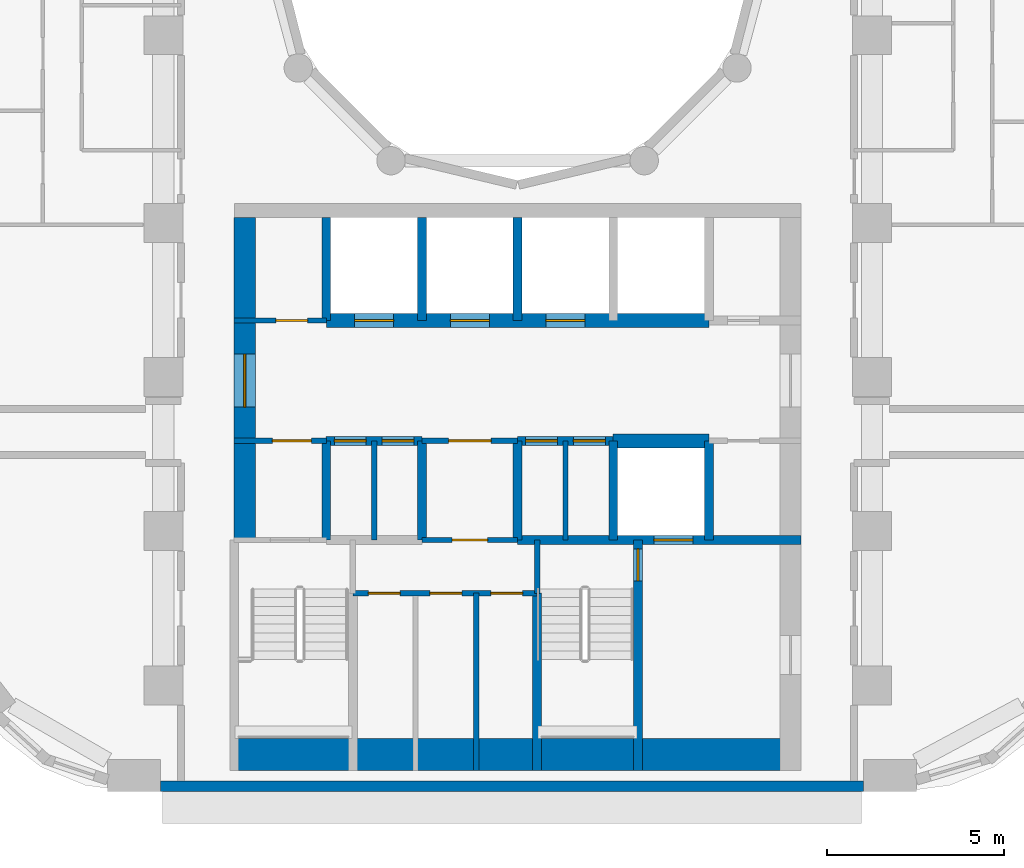
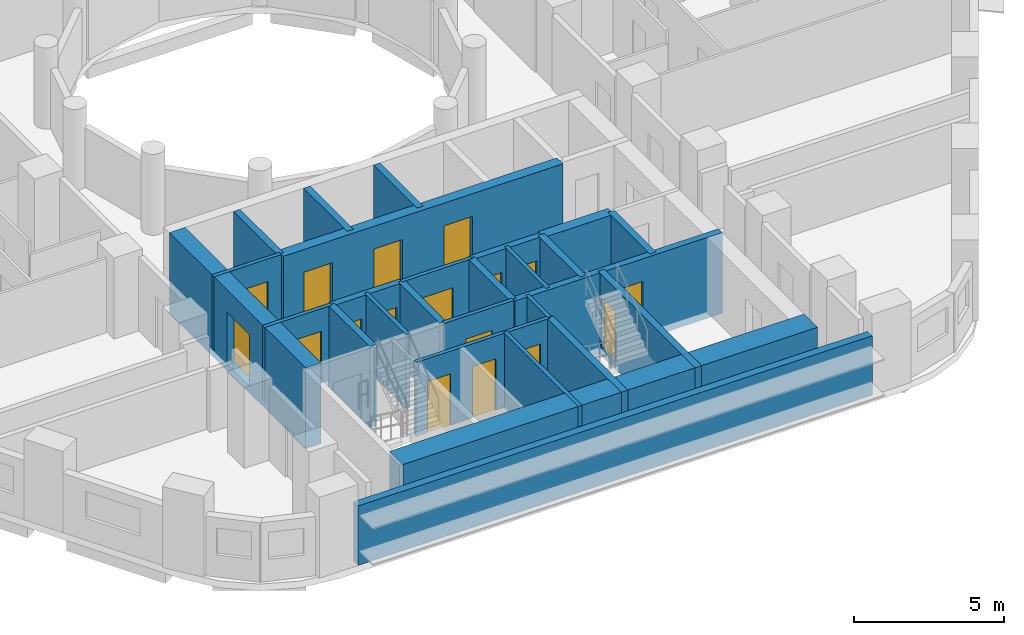
# One storey, part 3 of 13: 27 walls, 17 doors, 17 openings.
"""IFC4 building model written with IfcOpenShell, lengths in metres."""

from ifc_helpers import new_model, si_unit, direction, frame, frame_2d, origin, place, context, subcontext, project, spatial, rectangle, extrude, material, layer, layer_set, type_object, element, fill, save


model = new_model("IFC4")

# Units and contexts
model_context = context("Model", 3, precision=1e-05, world=origin(), true_north=direction((0.0, 1.0)))
body_context = subcontext(model_context, "Body", "Model", "MODEL_VIEW")
ifc_project = project(units=[si_unit("LENGTHUNIT", "METRE"), si_unit("AREAUNIT", "SQUARE_METRE"), si_unit("VOLUMEUNIT", "CUBIC_METRE"), si_unit("PLANEANGLEUNIT", "RADIAN"), si_unit("MASSUNIT", "GRAM", prefix="KILO")], contexts=[model_context])

# Site, building, storey
site_placement = place(None, origin())
site = spatial("IfcSite", under=ifc_project, at=site_placement, CompositionType="ELEMENT")
building_placement = place(site_placement, origin())
building = spatial("IfcBuilding", under=site, at=building_placement, Name="Nakaniwa Court", CompositionType="ELEMENT")
storey_placement = place(building_placement, frame((0.0, 0.0, 44.699951171875)))
storey = spatial("IfcBuildingStorey", under=building, at=storey_placement, Name="L11", CompositionType="ELEMENT", Elevation=44.699951171875)

# Wall
ifc_material_1 = material(Name="Charcoal ceramic cladding")
ifc_layer_1 = layer(ifc_material_1, 0.02, Name="Ceramic cladding")
ifc_material_2 = material(Name="Ventilated air cavity")
ifc_layer_2 = layer(ifc_material_2, 0.04, ventilated=True, Name="Ventilated cavity")
ifc_material_3 = material(Name="Mineral wool insulation")
ifc_layer_3 = layer(ifc_material_3, 0.1, Name="Insulation")
ifc_material_4 = material(Name="Cement bonded sheathing board")
ifc_layer_4 = layer(ifc_material_4, 0.012, Name="Sheathing")
ifc_material_5 = material(Name="Cold-formed galvanised stud frame with mineral wool infill")
ifc_layer_5 = layer(ifc_material_5, 0.1, Name="Stud frame")
ifc_material_6 = material(Name="Fire-rated gypsum plasterboard lining")
ifc_layer_6 = layer(ifc_material_6, 0.028, Name="Lining")
ifc_layer_set_1 = layer_set([ifc_layer_1, ifc_layer_2, ifc_layer_3, ifc_layer_4, ifc_layer_5, ifc_layer_6], Name="Charcoal ceramic faced external wall system")
wall_type_1 = type_object("IfcWallType", Name="Black ceramic faced external wall 300", PredefinedType="SOLIDWALL", material=ifc_layer_set_1)
wall_1_placement = place(storey_placement, frame((69.92138671875, 56.14990234375, 0.0), z_axis=(0.0, 0.0, 1.0), x_axis=(1.0, 0.0, 0.0)))
element("IfcWall", 1, at=wall_1_placement, inside=storey, type_object=wall_type_1, Name="L11 external wall 26", PredefinedType="SOLIDWALL", context=body_context, shape_type="SweptSolid", body=[
    extrude(rectangle(XDim=19.839599609375, YDim=0.300048828125, at=frame_2d((9.919921875, 0.0))), origin(), (0.0, 0.0, 1.0), 2.425048828125),
])

# Wall, opening, door
ifc_material_7 = material(Name="Blockwork partition", Category="masonry")
ifc_layer_7 = layer(ifc_material_7, 0.14990234375)
ifc_layer_set_2 = layer_set([ifc_layer_7], Name="Blockwork partition")
wall_type_2 = type_object("IfcWallType", Name="Blockwork partition 150", PredefinedType="PARTITIONING", material=ifc_layer_set_2)
wall_2_placement = place(storey_placement, frame((72.0, 69.300048828125, 0.0), z_axis=(0.0, 0.0, 1.0), x_axis=(1.0, 0.0, 0.0)))
wall_2 = element("IfcWall", 2, at=wall_2_placement, inside=storey, type_object=wall_type_2, Name="Partition PW-039", PredefinedType="PARTITIONING", context=body_context, shape_type="SweptSolid", body=[
    extrude(rectangle(XDim=2.60009765625, YDim=0.14990234375, at=frame_2d((1.300048828125, 0.0))), origin(), (0.0, 0.0, 1.0), 3.025146484375),
])
opening_1_placement = place(wall_2_placement, frame((1.175048828125, 0.0, 0.0)))
opening_1 = element("IfcOpeningElement", 3, at=opening_1_placement, cuts=wall_2, Name="Opening D-05-11", PredefinedType="OPENING", context=body_context, shape_type="SweptSolid", body=[
    extrude(rectangle(XDim=0.89990234375, YDim=2.10009765625, at=frame_2d((0.449951171875, 1.050048828125))), frame((0.0, 0.0849609375, 0.0), z_axis=(0.0, -1.0, 0.0), x_axis=(1.0, 0.0, 0.0)), (0.0, 0.0, 1.0), 0.169921875),
])
ifc_material_8 = material(Name="Fire rated steel door set", Category="steel")
door_type_1 = type_object("IfcDoorType", Name="Service room door 900", OperationType="NOTDEFINED", PredefinedType="DOOR", material=ifc_material_8)
door_1_placement = place(opening_1_placement, origin())
door_1 = element("IfcDoor", 4, at=door_1_placement, inside=storey, type_object=door_type_1, Name="Door D-05-11 L11-016", OperationType="SINGLE_SWING_LEFT", OverallHeight=2.10009765625, OverallWidth=0.89990234375, PredefinedType="DOOR", context=body_context, shape_type="SweptSolid", body=[
    extrude(rectangle(XDim=0.89990234375, YDim=2.10009765625, at=frame_2d((0.449951171875, 1.050048828125))), frame((0.0, 0.02490234375, 0.0), z_axis=(0.0, -1.0, 0.0), x_axis=(1.0, 0.0, 0.0)), (0.0, 0.0, 1.0), 0.050048828125),
])
fill(opening_1, door_1)

wall_3_placement = place(storey_placement, frame((74.60302734375, 65.89990234375, 0.0), z_axis=(0.0, 0.0, 1.0), x_axis=(-1.0, 0.0, 0.0)))
wall_3 = element("IfcWall", 5, at=wall_3_placement, inside=storey, type_object=wall_type_2, Name="Partition PW-052", PredefinedType="PARTITIONING", context=body_context, shape_type="SweptSolid", body=[
    extrude(rectangle(XDim=2.60302734375, YDim=0.14990234375, at=frame_2d((1.301513671875, 0.0))), origin(), (0.0, 0.0, 1.0), 3.025146484375),
])
opening_2_placement = place(wall_3_placement, frame((0.427978515625, 0.0, 0.0)))
opening_2 = element("IfcOpeningElement", 6, at=opening_2_placement, cuts=wall_3, Name="Opening D-08-02", PredefinedType="OPENING", context=body_context, shape_type="SweptSolid", body=[
    extrude(rectangle(XDim=1.10009765625, YDim=2.10009765625, at=frame_2d((0.550048828125, 1.050048828125))), frame((0.0, 0.0849609375, 0.0), z_axis=(0.0, -1.0, 0.0), x_axis=(1.0, 0.0, 0.0)), (0.0, 0.0, 1.0), 0.169921875),
])
door_type_2 = type_object("IfcDoorType", Name="Stair lobby door 1100", OperationType="NOTDEFINED", PredefinedType="DOOR", material=ifc_material_8)
door_2_placement = place(opening_2_placement, origin())
door_2 = element("IfcDoor", 7, at=door_2_placement, inside=storey, type_object=door_type_2, Name="Door D-08-02 L11-018", OperationType="SINGLE_SWING_LEFT", OverallHeight=2.10009765625, OverallWidth=1.10009765625, PredefinedType="DOOR", context=body_context, shape_type="SweptSolid", body=[
    extrude(rectangle(XDim=1.10009765625, YDim=2.10009765625, at=frame_2d((0.550048828125, 1.050048828125))), frame((0.0, 0.02490234375, 0.0), z_axis=(0.0, -1.0, 0.0), x_axis=(1.0, 0.0, 0.0)), (0.0, 0.0, 1.0), 0.050048828125),
])
fill(opening_2, door_2)

wall_4_placement = place(storey_placement, frame((80.0029296875, 65.89990234375, 0.0), z_axis=(0.0, 0.0, 1.0), x_axis=(-1.0, 0.0, 0.0)))
wall_4 = element("IfcWall", 8, at=wall_4_placement, inside=storey, type_object=wall_type_2, Name="Partition PW-053", PredefinedType="PARTITIONING", context=body_context, shape_type="SweptSolid", body=[
    extrude(rectangle(XDim=2.705810546875, YDim=0.14990234375, at=frame_2d((1.35302734375, 0.0))), origin(), (0.0, 0.0, 1.0), 3.025146484375),
])
opening_3_placement = place(wall_4_placement, frame((0.7529296875, 0.0, 0.0)))
opening_3 = element("IfcOpeningElement", 9, at=opening_3_placement, cuts=wall_4, Name="Opening D-06-02", PredefinedType="OPENING", context=body_context, shape_type="SweptSolid", body=[
    extrude(rectangle(XDim=1.199951171875, YDim=2.10009765625, at=frame_2d((0.60009765625, 1.050048828125))), frame((0.0, 0.0849609375, 0.0), z_axis=(0.0, -1.0, 0.0), x_axis=(1.0, 0.0, 0.0)), (0.0, 0.0, 1.0), 0.169921875),
])
ifc_material_9 = material(Name="Fire rated steel double door set", Category="steel")
door_type_3 = type_object("IfcDoorType", Name="Service passage double door 1200", OperationType="NOTDEFINED", PredefinedType="DOOR", material=ifc_material_9)
door_3_placement = place(opening_3_placement, origin())
door_3 = element("IfcDoor", 10, at=door_3_placement, inside=storey, type_object=door_type_3, Name="Door D-06-02 L11-021", OperationType="DOUBLE_DOOR_SINGLE_SWING", OverallHeight=2.10009765625, OverallWidth=1.199951171875, PredefinedType="DOOR", context=body_context, shape_type="SweptSolid", body=[
    extrude(rectangle(XDim=1.199951171875, YDim=2.10009765625, at=frame_2d((0.60009765625, 1.050048828125))), frame((0.0, 0.02490234375, 0.0), z_axis=(0.0, -1.0, 0.0), x_axis=(1.0, 0.0, 0.0)), (0.0, 0.0, 1.0), 0.050048828125),
])
fill(opening_3, door_3)

# Wall
wall_5_placement = place(storey_placement, frame((75.949951171875, 63.10009765625, 0.0), z_axis=(0.0, 0.0, 1.0), x_axis=(0.0, 1.0, 0.0)))
element("IfcWall", 11, at=wall_5_placement, inside=storey, type_object=wall_type_2, Name="Partition PW-059", PredefinedType="PARTITIONING", context=body_context, shape_type="SweptSolid", body=[
    extrude(rectangle(XDim=2.7998046875, YDim=0.14990234375, at=frame_2d((1.39990234375, 0.0))), origin(), (0.0, 0.0, 1.0), 3.025146484375),
])

# Wall, opening, door
wall_6_placement = place(storey_placement, frame((80.0, 63.10009765625, 0.0), z_axis=(0.0, 0.0, 1.0), x_axis=(-1.0, 0.0, 0.0)))
wall_6 = element("IfcWall", 12, at=wall_6_placement, inside=storey, type_object=wall_type_2, Name="Partition PW-062", PredefinedType="PARTITIONING", context=body_context, shape_type="SweptSolid", body=[
    extrude(rectangle(XDim=2.699951171875, YDim=0.14990234375, at=frame_2d((1.35009765625, 0.0))), origin(), (0.0, 0.0, 1.0), 3.025146484375),
])
opening_4_placement = place(wall_6_placement, frame((0.85009765625, 0.0, 0.0)))
opening_4 = element("IfcOpeningElement", 13, at=opening_4_placement, cuts=wall_6, Name="Opening D-23-02", PredefinedType="OPENING", context=body_context, shape_type="SweptSolid", body=[
    extrude(rectangle(XDim=1.0, YDim=2.10009765625, at=frame_2d((0.5, 1.050048828125))), frame((0.0, 0.0849609375, 0.0), z_axis=(0.0, -1.0, 0.0), x_axis=(1.0, 0.0, 0.0)), (0.0, 0.0, 1.0), 0.169921875),
])
door_type_4 = type_object("IfcDoorType", Name="Service room door 1000", OperationType="NOTDEFINED", PredefinedType="DOOR", material=ifc_material_8)
door_4_placement = place(opening_4_placement, origin())
door_4 = element("IfcDoor", 14, at=door_4_placement, inside=storey, type_object=door_type_4, Name="Door D-23-02 L11-025", OperationType="SINGLE_SWING_RIGHT", OverallHeight=2.10009765625, OverallWidth=1.0, PredefinedType="DOOR", context=body_context, shape_type="SweptSolid", body=[
    extrude(rectangle(XDim=1.0, YDim=2.10009765625, at=frame_2d((0.5, 1.050048828125))), frame((0.0, 0.02490234375, 0.0), z_axis=(0.0, -1.0, 0.0), x_axis=(1.0, 0.0, 0.0)), (0.0, 0.0, 1.0), 0.050048828125),
])
fill(opening_4, door_4)

# Wall
wall_7_placement = place(storey_placement, frame((81.35009765625, 63.10009765625, 0.0), z_axis=(0.0, 0.0, 1.0), x_axis=(0.0, 1.0, 0.0)))
element("IfcWall", 15, at=wall_7_placement, inside=storey, type_object=wall_type_2, Name="Partition PW-063", PredefinedType="PARTITIONING", context=body_context, shape_type="SweptSolid", body=[
    extrude(rectangle(XDim=2.7998046875, YDim=0.14990234375, at=frame_2d((1.39990234375, 0.0))), origin(), (0.0, 0.0, 1.0), 3.025146484375),
])

# Wall, openings, doors
wall_8_placement = place(storey_placement, frame((80.550048828125, 61.60009765625, 0.0), z_axis=(0.0, 0.0, 1.0), x_axis=(-1.0, 0.0, 0.0)))
wall_8 = element("IfcWall", 16, at=wall_8_placement, inside=storey, type_object=wall_type_2, Name="Partition PW-070", PredefinedType="PARTITIONING", context=body_context, shape_type="SweptSolid", body=[
    extrude(rectangle(XDim=5.199951171875, YDim=0.14990234375, at=frame_2d((2.60009765625, 0.0))), origin(), (0.0, 0.0, 1.0), 3.025146484375),
])
opening_5_placement = place(wall_8_placement, frame((3.865966796875, 0.0, 0.0)))
opening_5 = element("IfcOpeningElement", 17, at=opening_5_placement, cuts=wall_8, Name="Opening D-05-18", PredefinedType="OPENING", context=body_context, shape_type="SweptSolid", body=[
    extrude(rectangle(XDim=0.89990234375, YDim=2.10009765625, at=frame_2d((0.449951171875, 1.050048828125))), frame((0.0, 0.0849609375, 0.0), z_axis=(0.0, -1.0, 0.0), x_axis=(1.0, 0.0, 0.0)), (0.0, 0.0, 1.0), 0.169921875),
])
opening_6_placement = place(wall_8_placement, frame((2.1240234375, 0.0, 0.0)))
opening_6 = element("IfcOpeningElement", 18, at=opening_6_placement, cuts=wall_8, Name="Opening D-05-19", PredefinedType="OPENING", context=body_context, shape_type="SweptSolid", body=[
    extrude(rectangle(XDim=0.89990234375, YDim=2.10009765625, at=frame_2d((0.449951171875, 1.050048828125))), frame((0.0, 0.0849609375, 0.0), z_axis=(0.0, -1.0, 0.0), x_axis=(1.0, 0.0, 0.0)), (0.0, 0.0, 1.0), 0.169921875),
])
opening_7_placement = place(wall_8_placement, frame((0.407958984375, 0.0, 0.0)))
opening_7 = element("IfcOpeningElement", 19, at=opening_7_placement, cuts=wall_8, Name="Opening D-05-20", PredefinedType="OPENING", context=body_context, shape_type="SweptSolid", body=[
    extrude(rectangle(XDim=0.89990234375, YDim=2.10009765625, at=frame_2d((0.449951171875, 1.050048828125))), frame((0.0, 0.0849609375, 0.0), z_axis=(0.0, -1.0, 0.0), x_axis=(1.0, 0.0, 0.0)), (0.0, 0.0, 1.0), 0.169921875),
])
door_5_placement = place(opening_5_placement, origin())
door_5 = element("IfcDoor", 20, at=door_5_placement, inside=storey, type_object=door_type_1, Name="Door D-05-18 L11-026", OperationType="SINGLE_SWING_LEFT", OverallHeight=2.10009765625, OverallWidth=0.89990234375, PredefinedType="DOOR", context=body_context, shape_type="SweptSolid", body=[
    extrude(rectangle(XDim=0.89990234375, YDim=2.10009765625, at=frame_2d((0.449951171875, 1.050048828125))), frame((0.0, 0.02490234375, 0.0), z_axis=(0.0, -1.0, 0.0), x_axis=(1.0, 0.0, 0.0)), (0.0, 0.0, 1.0), 0.050048828125),
])
fill(opening_5, door_5)
door_6_placement = place(opening_6_placement, origin())
door_6 = element("IfcDoor", 21, at=door_6_placement, inside=storey, type_object=door_type_1, Name="Door D-05-19 L11-027", OperationType="SINGLE_SWING_RIGHT", OverallHeight=2.10009765625, OverallWidth=0.89990234375, PredefinedType="DOOR", context=body_context, shape_type="SweptSolid", body=[
    extrude(rectangle(XDim=0.89990234375, YDim=2.10009765625, at=frame_2d((0.449951171875, 1.050048828125))), frame((0.0, 0.02490234375, 0.0), z_axis=(0.0, -1.0, 0.0), x_axis=(1.0, 0.0, 0.0)), (0.0, 0.0, 1.0), 0.050048828125),
])
fill(opening_6, door_6)
door_7_placement = place(opening_7_placement, origin())
door_7 = element("IfcDoor", 22, at=door_7_placement, inside=storey, type_object=door_type_1, Name="Door D-05-20 L11-028", OperationType="SINGLE_SWING_LEFT", OverallHeight=2.10009765625, OverallWidth=0.89990234375, PredefinedType="DOOR", context=body_context, shape_type="SweptSolid", body=[
    extrude(rectangle(XDim=0.89990234375, YDim=2.10009765625, at=frame_2d((0.449951171875, 1.050048828125))), frame((0.0, 0.02490234375, 0.0), z_axis=(0.0, -1.0, 0.0), x_axis=(1.0, 0.0, 0.0)), (0.0, 0.0, 1.0), 0.050048828125),
])
fill(opening_7, door_7)

# Wall
wall_9_placement = place(storey_placement, frame((78.833984375, 56.60009765625, 0.0), z_axis=(0.0, 0.0, 1.0), x_axis=(0.0, 1.0, 0.0)))
element("IfcWall", 23, at=wall_9_placement, inside=storey, type_object=wall_type_2, Name="Partition PW-072", PredefinedType="PARTITIONING", context=body_context, shape_type="SweptSolid", body=[
    extrude(rectangle(XDim=5.0, YDim=0.14990234375, at=frame_2d((2.5, 0.0))), origin(), (0.0, 0.0, 1.0), 3.025146484375),
])

# Wall, opening, door
ifc_material_10 = material(Name="Concrete C100/115", Category="concrete")
ifc_layer_8 = layer(ifc_material_10, 0.60009765625)
ifc_layer_set_3 = layer_set([ifc_layer_8], Name="Concrete C100/115")
wall_type_3 = type_object("IfcWallType", Name="Concrete core side wall 600 C100", PredefinedType="SHEAR", material=ifc_layer_set_3)
wall_10_placement = place(storey_placement, frame((72.300048828125, 63.10009765625, -0.27490234375), z_axis=(0.0, 0.0, 1.0), x_axis=(0.0, 1.0, 0.0)))
wall_10 = element("IfcWall", 24, at=wall_10_placement, inside=storey, type_object=wall_type_3, Name="Core wall SW-40", PredefinedType="SHEAR", context=body_context, shape_type="SweptSolid", body=[
    extrude(rectangle(XDim=9.099853515625, YDim=0.60009765625, at=frame_2d((4.5498046875, 0.0))), origin(), (0.0, 0.0, 1.0), 3.300048828125),
])
opening_8_placement = place(wall_10_placement, frame((3.75, 0.0, 0.27490234375)))
opening_8 = element("IfcOpeningElement", 25, at=opening_8_placement, cuts=wall_10, Name="Opening D-07-04", PredefinedType="OPENING", context=body_context, shape_type="SweptSolid", body=[
    extrude(rectangle(XDim=1.5, YDim=2.10009765625, at=frame_2d((0.75, 1.050048828125))), frame((0.0, 0.31005859375, 0.0), z_axis=(0.0, -1.0, 0.0), x_axis=(1.0, 0.0, 0.0)), (0.0, 0.0, 1.0), 0.6201171875),
])
ifc_material_11 = material(Name="Glazed fire rated steel double door set", Category="steel")
door_type_5 = type_object("IfcDoorType", Name="Lobby double door 1500", OperationType="NOTDEFINED", PredefinedType="DOOR", material=ifc_material_11)
door_8_placement = place(opening_8_placement, origin())
door_8 = element("IfcDoor", 26, at=door_8_placement, inside=storey, type_object=door_type_5, Name="Door D-07-04 L11-064", OperationType="DOUBLE_DOOR_SINGLE_SWING", OverallHeight=2.10009765625, OverallWidth=1.5, PredefinedType="DOOR", context=body_context, shape_type="SweptSolid", body=[
    extrude(rectangle(XDim=1.5, YDim=2.10009765625, at=frame_2d((0.75, 1.050048828125))), frame((0.0, 0.02490234375, 0.0), z_axis=(0.0, -1.0, 0.0), x_axis=(1.0, 0.0, 0.0)), (0.0, 0.0, 1.0), 0.050048828125),
])
fill(opening_8, door_8)

# Wall, openings, doors
ifc_layer_9 = layer(ifc_material_10, 0.39990234375)
ifc_layer_set_4 = layer_set([ifc_layer_9], Name="Concrete C100/115")
wall_type_4 = type_object("IfcWallType", Name="Concrete core spine wall 400 C100", PredefinedType="SHEAR", material=ifc_layer_set_4)
wall_11_placement = place(storey_placement, frame((74.60009765625, 69.300048828125, -0.27490234375), z_axis=(0.0, 0.0, 1.0), x_axis=(1.0, 0.0, 0.0)))
wall_11 = element("IfcWall", 27, at=wall_11_placement, inside=storey, type_object=wall_type_4, Name="Core wall SW-43", PredefinedType="SHEAR", context=body_context, shape_type="SweptSolid", body=[
    extrude(rectangle(XDim=10.7998046875, YDim=0.39990234375, at=frame_2d((5.39990234375, 0.0))), origin(), (0.0, 0.0, 1.0), 3.300048828125),
])
opening_9_placement = place(wall_11_placement, frame((0.800048828125, 0.0, 0.27490234375)))
opening_9 = element("IfcOpeningElement", 28, at=opening_9_placement, cuts=wall_11, Name="Opening LD05", PredefinedType="OPENING", context=body_context, shape_type="SweptSolid", body=[
    extrude(rectangle(XDim=1.10009765625, YDim=2.10009765625, at=frame_2d((0.550048828125, 1.050048828125))), frame((0.0, 0.2099609375, 0.0), z_axis=(0.0, -1.0, 0.0), x_axis=(1.0, 0.0, 0.0)), (0.0, 0.0, 1.0), 0.419921875),
])
opening_10_placement = place(wall_11_placement, frame((3.5, 0.0, 0.27490234375)))
opening_10 = element("IfcOpeningElement", 29, at=opening_10_placement, cuts=wall_11, Name="Opening LD06", PredefinedType="OPENING", context=body_context, shape_type="SweptSolid", body=[
    extrude(rectangle(XDim=1.10009765625, YDim=2.10009765625, at=frame_2d((0.550048828125, 1.050048828125))), frame((0.0, 0.2099609375, 0.0), z_axis=(0.0, -1.0, 0.0), x_axis=(1.0, 0.0, 0.0)), (0.0, 0.0, 1.0), 0.419921875),
])
opening_11_placement = place(wall_11_placement, frame((6.199951171875, 0.0, 0.27490234375)))
opening_11 = element("IfcOpeningElement", 30, at=opening_11_placement, cuts=wall_11, Name="Opening LD07", PredefinedType="OPENING", context=body_context, shape_type="SweptSolid", body=[
    extrude(rectangle(XDim=1.10009765625, YDim=2.10009765625, at=frame_2d((0.550048828125, 1.050048828125))), frame((0.0, 0.2099609375, 0.0), z_axis=(0.0, -1.0, 0.0), x_axis=(1.0, 0.0, 0.0)), (0.0, 0.0, 1.0), 0.419921875),
])
ifc_material_12 = material(Name="Stainless steel sliding lift landing door", Category="steel")
door_type_6 = type_object("IfcDoorType", Name="Lift landing door 1100", OperationType="NOTDEFINED", PredefinedType="DOOR", material=ifc_material_12)
door_9_placement = place(opening_9_placement, origin())
door_9 = element("IfcDoor", 31, at=door_9_placement, inside=storey, type_object=door_type_6, Name="Lift landing door LD05 L11-005", OperationType="SLIDING_TO_LEFT", OverallHeight=2.10009765625, OverallWidth=1.10009765625, PredefinedType="DOOR", context=body_context, shape_type="SweptSolid", body=[
    extrude(rectangle(XDim=1.10009765625, YDim=2.10009765625, at=frame_2d((0.550048828125, 1.050048828125))), frame((0.0, 0.02490234375, 0.0), z_axis=(0.0, -1.0, 0.0), x_axis=(1.0, 0.0, 0.0)), (0.0, 0.0, 1.0), 0.050048828125),
])
fill(opening_9, door_9)
door_10_placement = place(opening_10_placement, origin())
door_10 = element("IfcDoor", 32, at=door_10_placement, inside=storey, type_object=door_type_6, Name="Lift landing door LD06 L11-006", OperationType="SLIDING_TO_LEFT", OverallHeight=2.10009765625, OverallWidth=1.10009765625, PredefinedType="DOOR", context=body_context, shape_type="SweptSolid", body=[
    extrude(rectangle(XDim=1.10009765625, YDim=2.10009765625, at=frame_2d((0.550048828125, 1.050048828125))), frame((0.0, 0.02490234375, 0.0), z_axis=(0.0, -1.0, 0.0), x_axis=(1.0, 0.0, 0.0)), (0.0, 0.0, 1.0), 0.050048828125),
])
fill(opening_10, door_10)
door_11_placement = place(opening_11_placement, origin())
door_11 = element("IfcDoor", 33, at=door_11_placement, inside=storey, type_object=door_type_6, Name="Lift landing door LD07 L11-007", OperationType="SLIDING_TO_LEFT", OverallHeight=2.10009765625, OverallWidth=1.10009765625, PredefinedType="DOOR", context=body_context, shape_type="SweptSolid", body=[
    extrude(rectangle(XDim=1.10009765625, YDim=2.10009765625, at=frame_2d((0.550048828125, 1.050048828125))), frame((0.0, 0.02490234375, 0.0), z_axis=(0.0, -1.0, 0.0), x_axis=(1.0, 0.0, 0.0)), (0.0, 0.0, 1.0), 0.050048828125),
])
fill(opening_11, door_11)

# Walls
wall_12_placement = place(storey_placement, frame((82.697021484375, 65.89990234375, -0.27490234375), z_axis=(0.0, 0.0, 1.0), x_axis=(1.0, 0.0, 0.0)))
element("IfcWall", 34, at=wall_12_placement, inside=storey, type_object=wall_type_4, Name="Core wall SW-57", PredefinedType="SHEAR", context=body_context, shape_type="SweptSolid", body=[
    extrude(rectangle(XDim=2.7060546875, YDim=0.39990234375, at=frame_2d((1.35302734375, 0.0))), origin(), (0.0, 0.0, 1.0), 3.300048828125),
])
ifc_layer_10 = layer(ifc_material_10, 0.14990234375)
ifc_layer_set_5 = layer_set([ifc_layer_10], Name="Concrete C100/115")
wall_type_5 = type_object("IfcWallType", Name="Concrete core wall 150 C100", PredefinedType="SHEAR", material=ifc_layer_set_5)
wall_13_placement = place(storey_placement, frame((80.550048828125, 61.596923828125, -0.27490234375), z_axis=(0.0, 0.0, 1.0), x_axis=(0.0, 1.0, 0.0)))
element("IfcWall", 35, at=wall_13_placement, inside=storey, type_object=wall_type_5, Name="Core wall SW-68", PredefinedType="SHEAR", context=body_context, shape_type="SweptSolid", body=[
    extrude(rectangle(XDim=1.503173828125, YDim=0.14990234375, at=frame_2d((0.75146484375, 0.0))), origin(), (0.0, 0.0, 1.0), 3.300048828125),
])
ifc_layer_11 = layer(ifc_material_10, 0.89990234375)
ifc_layer_set_6 = layer_set([ifc_layer_11], Name="Concrete C100/115")
wall_type_6 = type_object("IfcWallType", Name="Concrete core wall 900 C100", PredefinedType="SHEAR", material=ifc_layer_set_6)
wall_14_placement = place(storey_placement, frame((72.00390625, 57.050048828125, -0.27490234375), z_axis=(0.0, 0.0, 1.0), x_axis=(1.0, 0.0, 0.0)))
element("IfcWall", 36, at=wall_14_placement, inside=storey, type_object=wall_type_6, Name="Core wall SW-141", PredefinedType="SHEAR", context=body_context, shape_type="SweptSolid", body=[
    extrude(rectangle(XDim=15.9921875, YDim=0.89990234375, at=frame_2d((7.99609375, 0.0))), origin(), (0.0, 0.0, 1.0), 3.300048828125),
])
ifc_layer_12 = layer(ifc_material_10, 0.25)
ifc_layer_set_7 = layer_set([ifc_layer_12], Name="Concrete C100/115")
wall_type_7 = type_object("IfcWallType", Name="Concrete shaft wall 250 C100", PredefinedType="SHEAR", material=ifc_layer_set_7)
wall_15_placement = place(storey_placement, frame((74.60009765625, 63.10009765625, -0.27490234375), z_axis=(0.0, 0.0, 1.0), x_axis=(0.0, 1.0, 0.0)))
element("IfcWall", 37, at=wall_15_placement, inside=storey, type_object=wall_type_7, Name="Core wall SW-37", PredefinedType="SHEAR", context=body_context, shape_type="SweptSolid", body=[
    extrude(rectangle(XDim=2.7998046875, YDim=0.25, at=frame_2d((1.39990234375, 0.0))), origin(), (0.0, 0.0, 1.0), 3.300048828125),
])
wall_16_placement = place(storey_placement, frame((74.60009765625, 69.300048828125, -0.27490234375), z_axis=(0.0, 0.0, 1.0), x_axis=(0.0, 1.0, 0.0)))
element("IfcWall", 38, at=wall_16_placement, inside=storey, type_object=wall_type_7, Name="Core wall SW-38", PredefinedType="SHEAR", context=body_context, shape_type="SweptSolid", body=[
    extrude(rectangle(XDim=2.89990234375, YDim=0.25, at=frame_2d((1.449951171875, 0.0))), origin(), (0.0, 0.0, 1.0), 3.300048828125),
])
wall_17_placement = place(storey_placement, frame((77.300048828125, 63.10009765625, -0.27490234375), z_axis=(0.0, 0.0, 1.0), x_axis=(0.0, 1.0, 0.0)))
element("IfcWall", 39, at=wall_17_placement, inside=storey, type_object=wall_type_7, Name="Core wall SW-41", PredefinedType="SHEAR", context=body_context, shape_type="SweptSolid", body=[
    extrude(rectangle(XDim=2.7998046875, YDim=0.25, at=frame_2d((1.39990234375, 0.0))), origin(), (0.0, 0.0, 1.0), 3.300048828125),
])
wall_18_placement = place(storey_placement, frame((77.300048828125, 69.300048828125, -0.27490234375), z_axis=(0.0, 0.0, 1.0), x_axis=(0.0, 1.0, 0.0)))
element("IfcWall", 40, at=wall_18_placement, inside=storey, type_object=wall_type_7, Name="Core wall SW-42", PredefinedType="SHEAR", context=body_context, shape_type="SweptSolid", body=[
    extrude(rectangle(XDim=2.89990234375, YDim=0.25, at=frame_2d((1.449951171875, 0.0))), origin(), (0.0, 0.0, 1.0), 3.300048828125),
])
wall_19_placement = place(storey_placement, frame((80.0, 63.10009765625, -0.27490234375), z_axis=(0.0, 0.0, 1.0), x_axis=(0.0, 1.0, 0.0)))
element("IfcWall", 41, at=wall_19_placement, inside=storey, type_object=wall_type_7, Name="Core wall SW-44", PredefinedType="SHEAR", context=body_context, shape_type="SweptSolid", body=[
    extrude(rectangle(XDim=2.7998046875, YDim=0.25, at=frame_2d((1.39990234375, 0.0))), origin(), (0.0, 0.0, 1.0), 3.300048828125),
])
wall_20_placement = place(storey_placement, frame((80.0, 69.300048828125, -0.27490234375), z_axis=(0.0, 0.0, 1.0), x_axis=(0.0, 1.0, 0.0)))
element("IfcWall", 42, at=wall_20_placement, inside=storey, type_object=wall_type_7, Name="Core wall SW-45", PredefinedType="SHEAR", context=body_context, shape_type="SweptSolid", body=[
    extrude(rectangle(XDim=2.89990234375, YDim=0.25, at=frame_2d((1.449951171875, 0.0))), origin(), (0.0, 0.0, 1.0), 3.300048828125),
])
for number, where, z_axis, x_axis, name in (
    (43, (82.699951171875, 63.10009765625, -0.27490234375), (0.0, 0.0, 1.0), (0.0, 1.0, 0.0), "Core wall SW-46"),
    (44, (85.39990234375, 63.10009765625, -0.27490234375), (0.0, 0.0, 1.0), (0.0, 1.0, 0.0), "Core wall SW-48"),
):
    element("IfcWall", number, at=place(storey_placement, frame(where, z_axis=z_axis, x_axis=x_axis)), inside=storey, type_object=wall_type_7, Name=name, PredefinedType="SHEAR", context=body_context, shape_type="SweptSolid", body=[
        extrude(rectangle(XDim=2.7998046875, YDim=0.25, at=frame_2d((1.39990234375, 0.0))), origin(), (0.0, 0.0, 1.0), 3.300048828125),
    ])

# Wall, openings, doors
wall_21_placement = place(storey_placement, frame((77.302978515625, 65.89990234375, -0.27490234375), z_axis=(0.0, 0.0, 1.0), x_axis=(-1.0, 0.0, 0.0)))
wall_21 = element("IfcWall", 45, at=wall_21_placement, inside=storey, type_object=wall_type_7, Name="Core wall SW-55", PredefinedType="SHEAR", context=body_context, shape_type="SweptSolid", body=[
    extrude(rectangle(XDim=2.7060546875, YDim=0.25, at=frame_2d((1.35302734375, 0.0))), origin(), (0.0, 0.0, 1.0), 3.300048828125),
])
opening_12_placement = place(wall_21_placement, frame((1.577880859375, 0.0, 0.27490234375)))
opening_12 = element("IfcOpeningElement", 46, at=opening_12_placement, cuts=wall_21, Name="Opening D-05-13", PredefinedType="OPENING", context=body_context, shape_type="SweptSolid", body=[
    extrude(rectangle(XDim=0.89990234375, YDim=2.10009765625, at=frame_2d((0.449951171875, 1.050048828125))), frame((0.0, 0.135009765625, 0.0), z_axis=(0.0, -1.0, 0.0), x_axis=(1.0, 0.0, 0.0)), (0.0, 0.0, 1.0), 0.27001953125),
])
opening_13_placement = place(wall_21_placement, frame((0.22802734375, 0.0, 0.27490234375)))
opening_13 = element("IfcOpeningElement", 47, at=opening_13_placement, cuts=wall_21, Name="Opening D-05-14", PredefinedType="OPENING", context=body_context, shape_type="SweptSolid", body=[
    extrude(rectangle(XDim=0.89990234375, YDim=2.10009765625, at=frame_2d((0.449951171875, 1.050048828125))), frame((0.0, 0.135009765625, 0.0), z_axis=(0.0, -1.0, 0.0), x_axis=(1.0, 0.0, 0.0)), (0.0, 0.0, 1.0), 0.27001953125),
])
door_12_placement = place(opening_12_placement, origin())
door_12 = element("IfcDoor", 48, at=door_12_placement, inside=storey, type_object=door_type_1, Name="Door D-05-13 L11-019", OperationType="SINGLE_SWING_RIGHT", OverallHeight=2.10009765625, OverallWidth=0.89990234375, PredefinedType="DOOR", context=body_context, shape_type="SweptSolid", body=[
    extrude(rectangle(XDim=0.89990234375, YDim=2.10009765625, at=frame_2d((0.449951171875, 1.050048828125))), frame((0.0, 0.02490234375, 0.0), z_axis=(0.0, -1.0, 0.0), x_axis=(1.0, 0.0, 0.0)), (0.0, 0.0, 1.0), 0.050048828125),
])
fill(opening_12, door_12)
door_13_placement = place(opening_13_placement, origin())
door_13 = element("IfcDoor", 49, at=door_13_placement, inside=storey, type_object=door_type_1, Name="Door D-05-14 L11-020", OperationType="SINGLE_SWING_LEFT", OverallHeight=2.10009765625, OverallWidth=0.89990234375, PredefinedType="DOOR", context=body_context, shape_type="SweptSolid", body=[
    extrude(rectangle(XDim=0.89990234375, YDim=2.10009765625, at=frame_2d((0.449951171875, 1.050048828125))), frame((0.0, 0.02490234375, 0.0), z_axis=(0.0, -1.0, 0.0), x_axis=(1.0, 0.0, 0.0)), (0.0, 0.0, 1.0), 0.050048828125),
])
fill(opening_13, door_13)

wall_22_placement = place(storey_placement, frame((82.702880859375, 65.89990234375, -0.27490234375), z_axis=(0.0, 0.0, 1.0), x_axis=(-1.0, 0.0, 0.0)))
wall_22 = element("IfcWall", 50, at=wall_22_placement, inside=storey, type_object=wall_type_7, Name="Core wall SW-56", PredefinedType="SHEAR", context=body_context, shape_type="SweptSolid", body=[
    extrude(rectangle(XDim=2.705810546875, YDim=0.25, at=frame_2d((1.35302734375, 0.0))), origin(), (0.0, 0.0, 1.0), 3.300048828125),
])
opening_14_placement = place(wall_22_placement, frame((1.577880859375, 0.0, 0.27490234375)))
opening_14 = element("IfcOpeningElement", 51, at=opening_14_placement, cuts=wall_22, Name="Opening D-05-15", PredefinedType="OPENING", context=body_context, shape_type="SweptSolid", body=[
    extrude(rectangle(XDim=0.89990234375, YDim=2.10009765625, at=frame_2d((0.449951171875, 1.050048828125))), frame((0.0, 0.135009765625, 0.0), z_axis=(0.0, -1.0, 0.0), x_axis=(1.0, 0.0, 0.0)), (0.0, 0.0, 1.0), 0.27001953125),
])
opening_15_placement = place(wall_22_placement, frame((0.22802734375, 0.0, 0.27490234375)))
opening_15 = element("IfcOpeningElement", 52, at=opening_15_placement, cuts=wall_22, Name="Opening D-05-16", PredefinedType="OPENING", context=body_context, shape_type="SweptSolid", body=[
    extrude(rectangle(XDim=0.89990234375, YDim=2.10009765625, at=frame_2d((0.449951171875, 1.050048828125))), frame((0.0, 0.135009765625, 0.0), z_axis=(0.0, -1.0, 0.0), x_axis=(1.0, 0.0, 0.0)), (0.0, 0.0, 1.0), 0.27001953125),
])
door_14_placement = place(opening_14_placement, origin())
door_14 = element("IfcDoor", 53, at=door_14_placement, inside=storey, type_object=door_type_1, Name="Door D-05-15 L11-022", OperationType="SINGLE_SWING_LEFT", OverallHeight=2.10009765625, OverallWidth=0.89990234375, PredefinedType="DOOR", context=body_context, shape_type="SweptSolid", body=[
    extrude(rectangle(XDim=0.89990234375, YDim=2.10009765625, at=frame_2d((0.449951171875, 1.050048828125))), frame((0.0, 0.02490234375, 0.0), z_axis=(0.0, -1.0, 0.0), x_axis=(1.0, 0.0, 0.0)), (0.0, 0.0, 1.0), 0.050048828125),
])
fill(opening_14, door_14)
door_15_placement = place(opening_15_placement, origin())
door_15 = element("IfcDoor", 54, at=door_15_placement, inside=storey, type_object=door_type_1, Name="Door D-05-16 L11-023", OperationType="SINGLE_SWING_RIGHT", OverallHeight=2.10009765625, OverallWidth=0.89990234375, PredefinedType="DOOR", context=body_context, shape_type="SweptSolid", body=[
    extrude(rectangle(XDim=0.89990234375, YDim=2.10009765625, at=frame_2d((0.449951171875, 1.050048828125))), frame((0.0, 0.02490234375, 0.0), z_axis=(0.0, -1.0, 0.0), x_axis=(1.0, 0.0, 0.0)), (0.0, 0.0, 1.0), 0.050048828125),
])
fill(opening_15, door_15)

# Wall, opening, door
wall_23_placement = place(storey_placement, frame((80.0, 63.10009765625, -0.27490234375), z_axis=(0.0, 0.0, 1.0), x_axis=(1.0, 0.0, 0.0)))
wall_23 = element("IfcWall", 55, at=wall_23_placement, inside=storey, type_object=wall_type_7, Name="Core wall SW-61", PredefinedType="SHEAR", context=body_context, shape_type="SweptSolid", body=[
    extrude(rectangle(XDim=8.0, YDim=0.25, at=frame_2d((4.0, 0.0))), origin(), (0.0, 0.0, 1.0), 3.300048828125),
])
opening_16_placement = place(wall_23_placement, frame((3.84912109375, 0.0, 0.27490234375)))
opening_16 = element("IfcOpeningElement", 56, at=opening_16_placement, cuts=wall_23, Name="Opening LD08", PredefinedType="OPENING", context=body_context, shape_type="SweptSolid", body=[
    extrude(rectangle(XDim=1.10009765625, YDim=2.10009765625, at=frame_2d((0.550048828125, 1.050048828125))), frame((0.0, 0.135009765625, 0.0), z_axis=(0.0, -1.0, 0.0), x_axis=(1.0, 0.0, 0.0)), (0.0, 0.0, 1.0), 0.27001953125),
])
door_16_placement = place(opening_16_placement, origin())
door_16 = element("IfcDoor", 57, at=door_16_placement, inside=storey, type_object=door_type_6, Name="Lift landing door LD08 L11-008", OperationType="SLIDING_TO_LEFT", OverallHeight=2.10009765625, OverallWidth=1.10009765625, PredefinedType="DOOR", context=body_context, shape_type="SweptSolid", body=[
    extrude(rectangle(XDim=1.10009765625, YDim=2.10009765625, at=frame_2d((0.550048828125, 1.050048828125))), frame((0.0, 0.02490234375, 0.0), z_axis=(0.0, -1.0, 0.0), x_axis=(1.0, 0.0, 0.0)), (0.0, 0.0, 1.0), 0.050048828125),
])
fill(opening_16, door_16)

wall_24_placement = place(storey_placement, frame((83.39990234375, 63.10009765625, -0.27490234375), z_axis=(0.0, 0.0, 1.0), x_axis=(0.0, -1.0, 0.0)))
wall_24 = element("IfcWall", 58, at=wall_24_placement, inside=storey, type_object=wall_type_7, Name="Core wall SW-67", PredefinedType="SHEAR", context=body_context, shape_type="SweptSolid", body=[
    extrude(rectangle(XDim=6.5, YDim=0.25, at=frame_2d((3.25, 0.0))), origin(), (0.0, 0.0, 1.0), 3.300048828125),
])
opening_17_placement = place(wall_24_placement, frame((0.25, 0.0, 0.27490234375)))
opening_17 = element("IfcOpeningElement", 59, at=opening_17_placement, cuts=wall_24, Name="Opening D-11-02", PredefinedType="OPENING", context=body_context, shape_type="SweptSolid", body=[
    extrude(rectangle(XDim=0.89990234375, YDim=2.10009765625, at=frame_2d((0.449951171875, 1.050048828125))), frame((0.0, 0.135009765625, 0.0), z_axis=(0.0, -1.0, 0.0), x_axis=(1.0, 0.0, 0.0)), (0.0, 0.0, 1.0), 0.27001953125),
])
door_type_7 = type_object("IfcDoorType", Name="Stair door 900", OperationType="NOTDEFINED", PredefinedType="DOOR", material=ifc_material_8)
door_17_placement = place(opening_17_placement, origin())
door_17 = element("IfcDoor", 60, at=door_17_placement, inside=storey, type_object=door_type_7, Name="Door D-11-02 L11-030", OperationType="SINGLE_SWING_RIGHT", OverallHeight=2.10009765625, OverallWidth=0.89990234375, PredefinedType="DOOR", context=body_context, shape_type="SweptSolid", body=[
    extrude(rectangle(XDim=0.89990234375, YDim=2.10009765625, at=frame_2d((0.449951171875, 1.050048828125))), frame((0.0, 0.02490234375, 0.0), z_axis=(0.0, -1.0, 0.0), x_axis=(1.0, 0.0, 0.0)), (0.0, 0.0, 1.0), 0.050048828125),
])
fill(opening_17, door_17)

# Wall
wall_25_placement = place(storey_placement, frame((80.550048828125, 56.60009765625, -0.27490234375), z_axis=(0.0, 0.0, 1.0), x_axis=(0.0, 1.0, 0.0)))
element("IfcWall", 61, at=wall_25_placement, inside=storey, type_object=wall_type_7, Name="Core wall SW-69", PredefinedType="SHEAR", context=body_context, shape_type="SweptSolid", body=[
    extrude(rectangle(XDim=5.0029296875, YDim=0.25, at=frame_2d((2.50146484375, 0.0))), origin(), (0.0, 0.0, 1.0), 3.300048828125),
])

save(model, "model.ifc")
